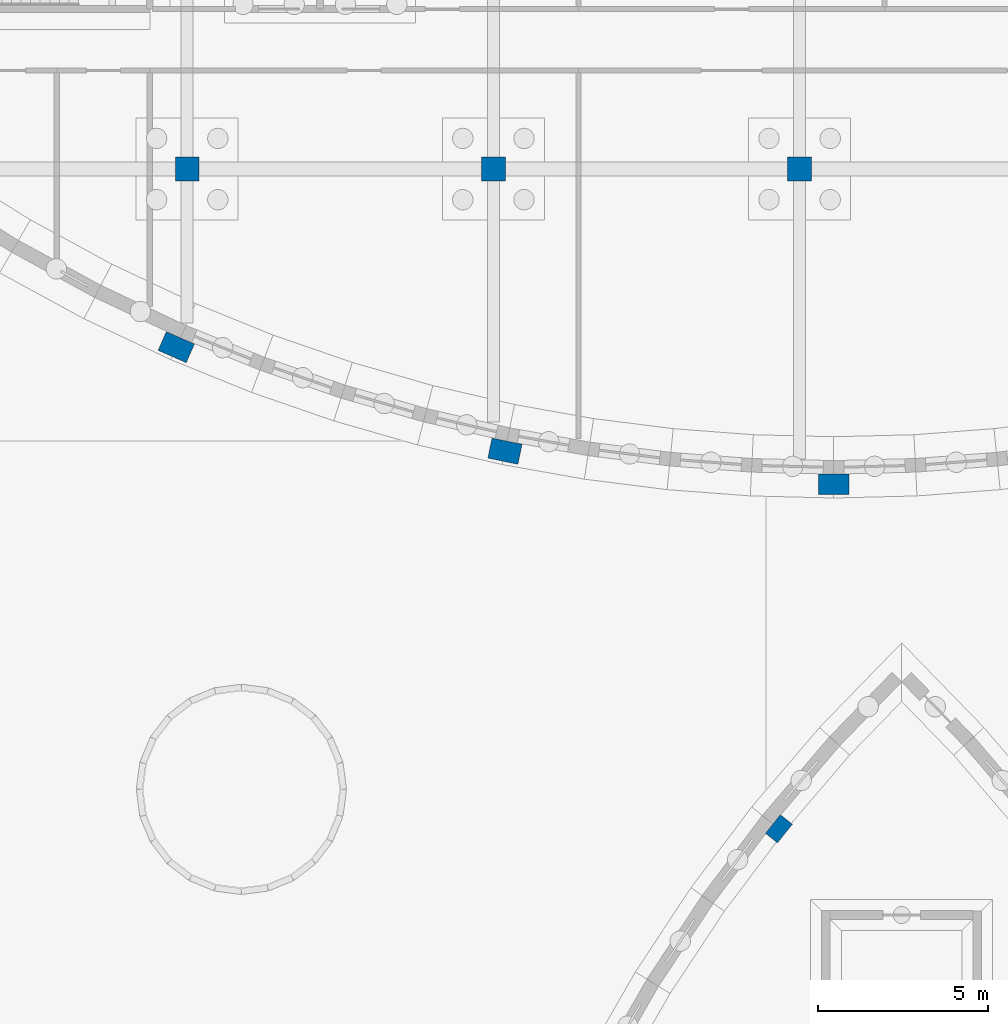
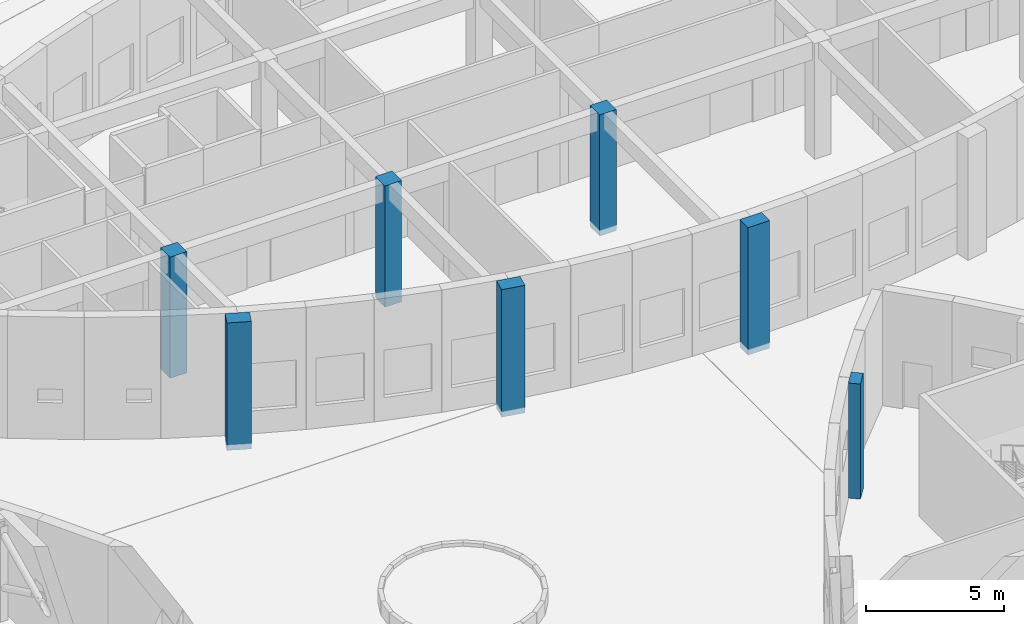
# One storey, part 15 of 82: 7 columns.
"""IFC4 building model written with IfcOpenShell, lengths in metres."""

import ifcopenshell
import ifcopenshell.guid

model = None  # the IFC model being written
_history = None  # IfcOwnerHistory: only IFC2X3 demands one
_inside = {}  # id of a spatial element -> (the spatial element, [elements in it])
_under = {}  # id of a project, library or spatial element -> (it, [spatial elements below it])
_declared = {}  # id of a project -> (the project, [libraries it declares])
_typed = {}  # id of a type object -> (the type object, [elements of that type])
_made_of = {}  # id of a material, layer set ... -> (it, [elements and type objects made of it])


def new_model(schema):
    """Start an empty IFC model of exactly this schema.

    Asked for "IFC4X3", IfcOpenShell would pick the latest addendum, in which some entities
    have other attributes; the version numbers below select the first issue.
    IFC2X3 requires an IfcOwnerHistory on every rooted entity: one is made here for all.
    """
    global model, _history
    if schema == "IFC4X3":
        model = ifcopenshell.file(schema_version=(4, 3, 0, 0))
    else:
        model = ifcopenshell.file(schema=schema)
    _inside.clear()
    _under.clear()
    _declared.clear()
    _typed.clear()
    _made_of.clear()
    _history = None
    if model.schema == "IFC2X3":
        org = make("IfcOrganization", Name="unknown")
        user = make(
            "IfcPersonAndOrganization",
            ThePerson=make("IfcPerson", FamilyName="unknown"),
            TheOrganization=org,
        )
        app = make(
            "IfcApplication",
            ApplicationDeveloper=org,
            Version="unknown",
            ApplicationFullName="unknown",
            ApplicationIdentifier="unknown",
        )
        _history = make(
            "IfcOwnerHistory",
            OwningUser=user,
            OwningApplication=app,
            ChangeAction="ADDED",
            CreationDate=0,
        )
    return model


def make(cls, **values):
    """One entity of the class cls with the attributes given. An attribute that is None is left unset."""
    return model.create_entity(
        cls, **{name: value for name, value in values.items() if value is not None}
    )


def rooted(cls, **values):
    """An entity with a GlobalId (a new one), such as an element, a storey or a relation."""
    return make(cls, GlobalId=ifcopenshell.guid.new(), OwnerHistory=_history, **values)


def si_unit(unit_type, name, prefix=None):
    """IfcSIUnit, for example si_unit("LENGTHUNIT", "METRE", prefix="MILLI")."""
    return make("IfcSIUnit", UnitType=unit_type, Prefix=prefix, Name=name)


def assignment(units):
    """IfcUnitAssignment: the units of a project."""
    return None if units is None else make("IfcUnitAssignment", Units=units)


def point(xyz):
    """IfcCartesianPoint."""
    return None if xyz is None else make("IfcCartesianPoint", Coordinates=xyz)


def direction(xyz):
    """IfcDirection."""
    return None if xyz is None else make("IfcDirection", DirectionRatios=xyz)


def frame(location, z_axis=None, x_axis=None):
    """IfcAxis2Placement3D, a coordinate frame: its origin and axes. An axis left out is left unset."""
    return make(
        "IfcAxis2Placement3D",
        Location=point(location),
        Axis=direction(z_axis),
        RefDirection=direction(x_axis),
    )


def frame_2d(location, x_axis=None):
    """IfcAxis2Placement2D, a coordinate frame in the plane: its origin and x axis."""
    return make(
        "IfcAxis2Placement2D", Location=point(location), RefDirection=direction(x_axis)
    )


def origin():
    """The frame at (0, 0, 0) with its axes left unset."""
    return frame((0.0, 0.0, 0.0))


def origin_2d():
    """The frame at (0, 0) in the plane with its x axis left unset."""
    return frame_2d((0.0, 0.0))


def place(relative_to, where):
    """IfcLocalPlacement: puts the frame where relative to a parent placement (None: the world)."""
    return make(
        "IfcLocalPlacement", PlacementRelTo=relative_to, RelativePlacement=where
    )


def context(
    kind, dimensions, precision=None, world=None, true_north=None, identifier=None
):
    """IfcGeometricRepresentationContext, for example the 3D "Model" context."""
    return make(
        "IfcGeometricRepresentationContext",
        ContextIdentifier=identifier,
        ContextType=kind,
        CoordinateSpaceDimension=dimensions,
        Precision=precision,
        WorldCoordinateSystem=world,
        TrueNorth=true_north,
    )


def subcontext(parent, identifier, kind, view, scale=None):
    """IfcGeometricRepresentationSubContext, for example "Body" below "Model"."""
    return make(
        "IfcGeometricRepresentationSubContext",
        ContextIdentifier=identifier,
        ContextType=kind,
        ParentContext=parent,
        TargetScale=scale,
        TargetView=view,
    )


def project(units=None, contexts=None):
    """IfcProject with its units and contexts."""
    return rooted(
        "IfcProject",
        Name="project",
        RepresentationContexts=contexts,
        UnitsInContext=assignment(units),
    )


def spatial(cls, under=None, at=None, **own):
    """A site, building, storey or space (cls), placed at a placement, below another one or the project."""
    s = rooted(cls, ObjectPlacement=at, **own)
    if under is not None:
        _under.setdefault(under.id(), (under, []))[1].append(s)
    return s


def profile(cls, at=None, kind="AREA", **sizes):
    """A parametric profile (cls). Its sizes go by their IFC names, for example OverallWidth=200.0."""
    return make(cls, ProfileType=kind, Position=at, **sizes)


def rectangle(**sizes):
    """IfcRectangleProfileDef."""
    return profile("IfcRectangleProfileDef", **sizes)


def extrude(swept, where, along, depth):
    """IfcExtrudedAreaSolid: the profile swept, set in the frame where, extruded along a direction by depth."""
    return make(
        "IfcExtrudedAreaSolid",
        SweptArea=swept,
        Position=where,
        ExtrudedDirection=direction(along),
        Depth=depth,
    )


def shape(context_of_items, identifier, shape_type, items):
    """IfcShapeRepresentation: the items that make up one representation, for example the "Body"."""
    return make(
        "IfcShapeRepresentation",
        ContextOfItems=context_of_items,
        RepresentationIdentifier=identifier,
        RepresentationType=shape_type,
        Items=items,
    )


def material(Name=None, Category=None):
    """IfcMaterial."""
    return make("IfcMaterial", Name=Name, Category=Category)


def material_profile(
    of_material, cross_section, Name=None, Category=None, Priority=None
):
    """IfcMaterialProfile: a cross section and its material."""
    return make(
        "IfcMaterialProfile",
        Name=Name,
        Material=of_material,
        Profile=cross_section,
        Priority=Priority,
        Category=Category,
    )


def profile_set(profiles, Name=None, composite=None):
    """IfcMaterialProfileSet."""
    return make(
        "IfcMaterialProfileSet",
        Name=Name,
        MaterialProfiles=profiles,
        CompositeProfile=composite,
    )


def made_of(thing, what):
    """Note that an element or type object is made of a material, layer set ...; save() writes the relation."""
    if what is not None:
        _made_of.setdefault(what.id(), (what, []))[1].append(thing)
    return thing


def type_object(cls, material=None, **own):
    """A type object (cls), such as IfcWallType, which elements share."""
    return made_of(rooted(cls, **own), material)


def element(
    cls,
    number,
    at=None,
    inside=None,
    cuts=None,
    type_object=None,
    material=None,
    context=None,
    identifier="Body",
    shape_type=None,
    held_by="IfcProductDefinitionShape",
    body=None,
    shapes=None,
    **own,
):
    """One element of the class cls, such as IfcWall. Its Tag is "e" and its number.

    at: its placement. inside: the storey or other place that contains it. cuts: it is an
    opening in that element (IfcRelVoidsElement). A single representation is given by context,
    identifier, shape_type and body (its items); several are given by shapes. held_by: the class
    of the entity that holds the representations. save() writes the other relations.
    """
    e = rooted(cls, Tag="e%d" % number, ObjectPlacement=at, **own)
    if body is not None:
        shapes = [shape(context, identifier, shape_type, body)]
    if shapes is not None:
        e.Representation = make(held_by, Representations=shapes)
    if inside is not None:
        _inside.setdefault(inside.id(), (inside, []))[1].append(e)
    if cuts is not None:
        rooted(
            "IfcRelVoidsElement", RelatingBuildingElement=cuts, RelatedOpeningElement=e
        )
    if type_object is not None:
        _typed.setdefault(type_object.id(), (type_object, []))[1].append(e)
    return made_of(e, material)


def aggregate(whole, parts):
    """IfcRelAggregates: a whole, such as a stair, and the parts it consists of."""
    return rooted("IfcRelAggregates", RelatingObject=whole, RelatedObjects=parts)


def save(model, path):
    """Write the relations noted so far, then the file.

    IfcRelAggregates (storeys below a building ...), IfcRelContainedInSpatialStructure (elements
    in a storey), IfcRelDefinesByType, IfcRelAssociatesMaterial and IfcRelDeclares: one each for
    every whole, place, type object, material and project.
    """
    for whole, parts in _under.values():
        aggregate(whole, parts)
    for where, things in _inside.values():
        rooted(
            "IfcRelContainedInSpatialStructure",
            RelatedElements=things,
            RelatingStructure=where,
        )
    for kind, things in _typed.values():
        rooted("IfcRelDefinesByType", RelatedObjects=things, RelatingType=kind)
    for what, things in _made_of.values():
        rooted("IfcRelAssociatesMaterial", RelatedObjects=things, RelatingMaterial=what)
    for by, libraries in _declared.values():
        rooted("IfcRelDeclares", RelatingContext=by, RelatedDefinitions=libraries)
    model.write(path)


model = new_model("IFC4")

# Units and contexts
model_context = context("Model", 3, precision=1e-05, world=origin(), true_north=direction((0.0, 1.0)))
body_context = subcontext(model_context, "Body", "Model", "MODEL_VIEW")
ifc_project = project(units=[si_unit("LENGTHUNIT", "METRE"), si_unit("AREAUNIT", "SQUARE_METRE"), si_unit("VOLUMEUNIT", "CUBIC_METRE"), si_unit("PLANEANGLEUNIT", "RADIAN"), si_unit("MASSUNIT", "GRAM", prefix="KILO")], contexts=[model_context])

# Site, building, storey
site_placement = place(None, origin())
site = spatial("IfcSite", under=ifc_project, at=site_placement, CompositionType="ELEMENT")
building_placement = place(site_placement, origin())
building = spatial("IfcBuilding", under=site, at=building_placement, Name="Tide Square Theatres", CompositionType="ELEMENT")
storey_placement = place(building_placement, origin())
storey = spatial("IfcBuildingStorey", under=building, at=storey_placement, Name="L00", CompositionType="ELEMENT", Elevation=0.0)

# Columns
ifc_material_1 = material(Name="Concrete C40", Category="concrete")
ifc_material_profile_1 = material_profile(ifc_material_1, rectangle(XDim=0.699951171875, YDim=0.699951171875, at=origin_2d()))
ifc_profile_set_1 = profile_set([ifc_material_profile_1], Name="Concrete C40")
column_type_1 = type_object("IfcColumnType", Name="RC column 700 x 700", PredefinedType="COLUMN", material=ifc_profile_set_1)
for number, where, z_axis, x_axis, name in (
    (1, (111.0, 94.0, -0.25), (0.0, 0.0, 1.0), (1.0, 0.0, 0.0), "Rehearsal Block frame column 1"),
    (2, (120.0, 94.0, -0.25), (0.0, 0.0, 1.0), (1.0, 0.0, 0.0), "Rehearsal Block frame column 2"),
    (3, (129.0, 94.0, -0.25), (0.0, 0.0, 1.0), (1.0, 0.0, 0.0), "Rehearsal Block frame column 4"),
):
    element("IfcColumn", number, at=place(storey_placement, frame(where, z_axis=z_axis, x_axis=x_axis)), inside=storey, type_object=column_type_1, Name=name, PredefinedType="COLUMN", context=body_context, shape_type="SweptSolid", body=[
        extrude(rectangle(XDim=0.699951171875, YDim=0.699951171875, at=origin_2d()), origin(), (0.0, 0.0, 1.0), 5.3701171875),
    ])
ifc_material_2 = material(Name="Concrete C40", Category="concrete")
ifc_material_profile_2 = material_profile(ifc_material_2, rectangle(XDim=0.699951171875, YDim=0.449951171875, at=origin_2d()))
ifc_profile_set_2 = profile_set([ifc_material_profile_2], Name="Concrete C40")
column_type_2 = type_object("IfcColumnType", Name="RC pier 700 x 450", PredefinedType="PILASTER", material=ifc_profile_set_2)
column_placement = place(storey_placement, frame((128.390625, 74.609130859375, 0.0), z_axis=(0.0, 0.0, 1.0), x_axis=(-0.625818839057, -0.779968448517, 0.0)))
element("IfcColumn", 4, at=column_placement, inside=storey, type_object=column_type_2, Name="Black Box Theatre wall pier", PredefinedType="PILASTER", context=body_context, shape_type="SweptSolid", body=[
    extrude(rectangle(XDim=0.699951171875, YDim=0.449951171875, at=origin_2d()), origin(), (0.0, 0.0, 1.0), 5.10009765625),
])
ifc_material_3 = material(Name="Concrete C40", Category="concrete")
ifc_material_profile_3 = material_profile(ifc_material_3, rectangle(XDim=0.89990234375, YDim=0.60009765625, at=origin_2d()))
ifc_profile_set_3 = profile_set([ifc_material_profile_3], Name="Concrete C40")
column_type_3 = type_object("IfcColumnType", Name="RC pier 900 x 600", PredefinedType="PILASTER", material=ifc_profile_set_3)
for number, where, z_axis, x_axis, name in (
    (5, (110.678955078125, 88.76416015625, -0.25), (0.0, 0.0, 1.0), (0.915419314521, -0.402501526211, 0.0), "Rehearsal Block rib pier 2"),
    (6, (120.339599609375, 85.707275390625, -0.25), (0.0, 0.0, 1.0), (0.979575047818, -0.201078904144, 0.0), "Rehearsal Block rib pier 3"),
    (7, (130.0, 84.731201171875, -0.25), (0.0, 0.0, 1.0), (1.0, 0.0, 0.0), "Rehearsal Block rib pier 4"),
):
    element("IfcColumn", number, at=place(storey_placement, frame(where, z_axis=z_axis, x_axis=x_axis)), inside=storey, type_object=column_type_3, Name=name, PredefinedType="PILASTER", context=body_context, shape_type="SweptSolid", body=[
        extrude(rectangle(XDim=0.89990234375, YDim=0.60009765625, at=origin_2d()), origin(), (0.0, 0.0, 1.0), 5.64990234375),
    ])

save(model, "model.ifc")
